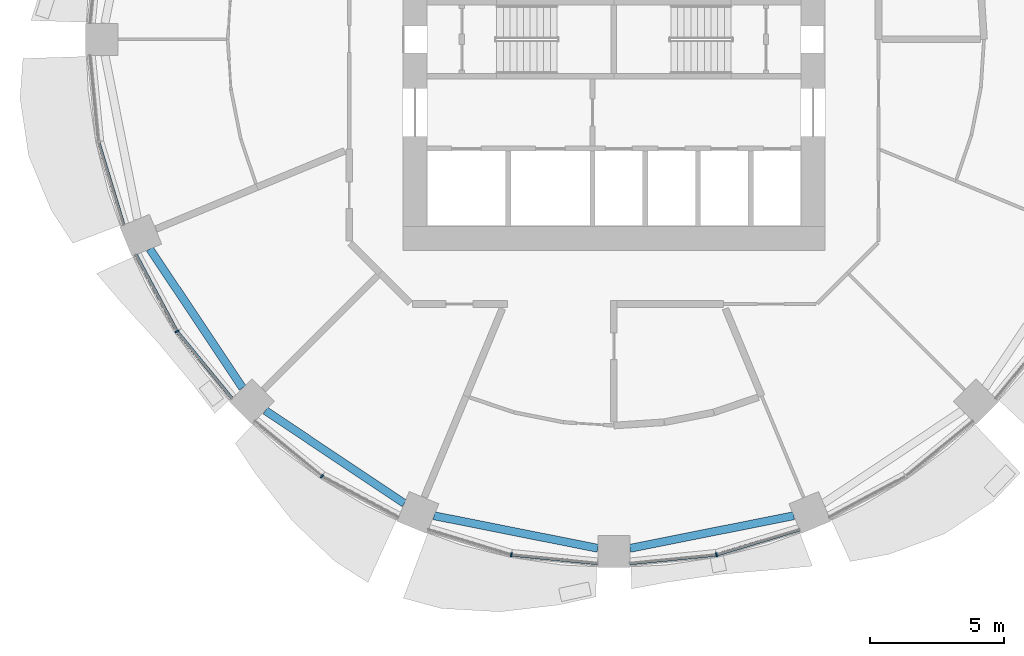
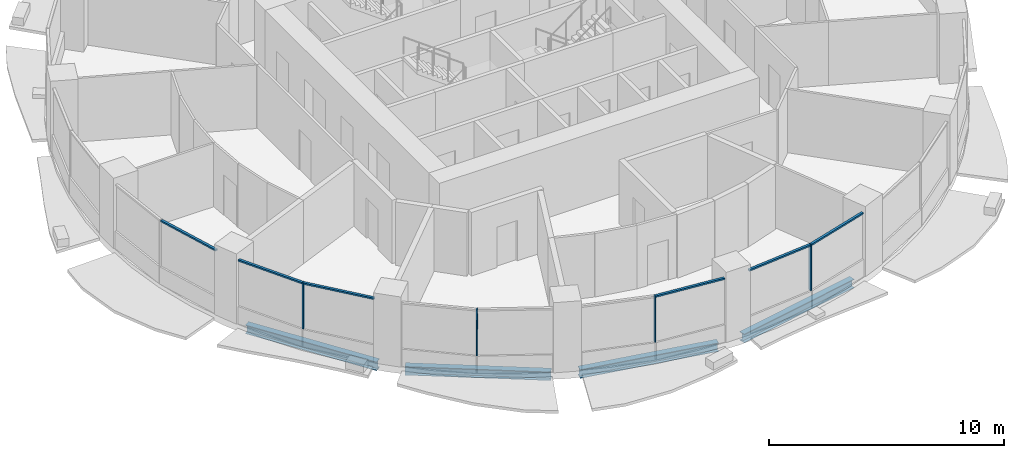
# One storey, part 2 of 15: 10 members, 4 beams, 5 elements without a shape of their own.
"""IFC4 building model written with IfcOpenShell, lengths in metres."""

import ifcopenshell
import ifcopenshell.guid

model = None  # the IFC model being written
_history = None  # IfcOwnerHistory: only IFC2X3 demands one
_inside = {}  # id of a spatial element -> (the spatial element, [elements in it])
_under = {}  # id of a project, library or spatial element -> (it, [spatial elements below it])
_declared = {}  # id of a project -> (the project, [libraries it declares])
_typed = {}  # id of a type object -> (the type object, [elements of that type])
_made_of = {}  # id of a material, layer set ... -> (it, [elements and type objects made of it])


def new_model(schema):
    """Start an empty IFC model of exactly this schema.

    Asked for "IFC4X3", IfcOpenShell would pick the latest addendum, in which some entities
    have other attributes; the version numbers below select the first issue.
    IFC2X3 requires an IfcOwnerHistory on every rooted entity: one is made here for all.
    """
    global model, _history
    if schema == "IFC4X3":
        model = ifcopenshell.file(schema_version=(4, 3, 0, 0))
    else:
        model = ifcopenshell.file(schema=schema)
    _inside.clear()
    _under.clear()
    _declared.clear()
    _typed.clear()
    _made_of.clear()
    _history = None
    if model.schema == "IFC2X3":
        org = make("IfcOrganization", Name="unknown")
        user = make(
            "IfcPersonAndOrganization",
            ThePerson=make("IfcPerson", FamilyName="unknown"),
            TheOrganization=org,
        )
        app = make(
            "IfcApplication",
            ApplicationDeveloper=org,
            Version="unknown",
            ApplicationFullName="unknown",
            ApplicationIdentifier="unknown",
        )
        _history = make(
            "IfcOwnerHistory",
            OwningUser=user,
            OwningApplication=app,
            ChangeAction="ADDED",
            CreationDate=0,
        )
    return model


def make(cls, **values):
    """One entity of the class cls with the attributes given. An attribute that is None is left unset."""
    return model.create_entity(
        cls, **{name: value for name, value in values.items() if value is not None}
    )


def rooted(cls, **values):
    """An entity with a GlobalId (a new one), such as an element, a storey or a relation."""
    return make(cls, GlobalId=ifcopenshell.guid.new(), OwnerHistory=_history, **values)


def si_unit(unit_type, name, prefix=None):
    """IfcSIUnit, for example si_unit("LENGTHUNIT", "METRE", prefix="MILLI")."""
    return make("IfcSIUnit", UnitType=unit_type, Prefix=prefix, Name=name)


def assignment(units):
    """IfcUnitAssignment: the units of a project."""
    return None if units is None else make("IfcUnitAssignment", Units=units)


def point(xyz):
    """IfcCartesianPoint."""
    return None if xyz is None else make("IfcCartesianPoint", Coordinates=xyz)


def direction(xyz):
    """IfcDirection."""
    return None if xyz is None else make("IfcDirection", DirectionRatios=xyz)


def frame(location, z_axis=None, x_axis=None):
    """IfcAxis2Placement3D, a coordinate frame: its origin and axes. An axis left out is left unset."""
    return make(
        "IfcAxis2Placement3D",
        Location=point(location),
        Axis=direction(z_axis),
        RefDirection=direction(x_axis),
    )


def frame_2d(location, x_axis=None):
    """IfcAxis2Placement2D, a coordinate frame in the plane: its origin and x axis."""
    return make(
        "IfcAxis2Placement2D", Location=point(location), RefDirection=direction(x_axis)
    )


def origin():
    """The frame at (0, 0, 0) with its axes left unset."""
    return frame((0.0, 0.0, 0.0))


def origin_2d():
    """The frame at (0, 0) in the plane with its x axis left unset."""
    return frame_2d((0.0, 0.0))


def place(relative_to, where):
    """IfcLocalPlacement: puts the frame where relative to a parent placement (None: the world)."""
    return make(
        "IfcLocalPlacement", PlacementRelTo=relative_to, RelativePlacement=where
    )


def context(
    kind, dimensions, precision=None, world=None, true_north=None, identifier=None
):
    """IfcGeometricRepresentationContext, for example the 3D "Model" context."""
    return make(
        "IfcGeometricRepresentationContext",
        ContextIdentifier=identifier,
        ContextType=kind,
        CoordinateSpaceDimension=dimensions,
        Precision=precision,
        WorldCoordinateSystem=world,
        TrueNorth=true_north,
    )


def subcontext(parent, identifier, kind, view, scale=None):
    """IfcGeometricRepresentationSubContext, for example "Body" below "Model"."""
    return make(
        "IfcGeometricRepresentationSubContext",
        ContextIdentifier=identifier,
        ContextType=kind,
        ParentContext=parent,
        TargetScale=scale,
        TargetView=view,
    )


def project(units=None, contexts=None):
    """IfcProject with its units and contexts."""
    return rooted(
        "IfcProject",
        Name="project",
        RepresentationContexts=contexts,
        UnitsInContext=assignment(units),
    )


def spatial(cls, under=None, at=None, **own):
    """A site, building, storey or space (cls), placed at a placement, below another one or the project."""
    s = rooted(cls, ObjectPlacement=at, **own)
    if under is not None:
        _under.setdefault(under.id(), (under, []))[1].append(s)
    return s


def profile(cls, at=None, kind="AREA", **sizes):
    """A parametric profile (cls). Its sizes go by their IFC names, for example OverallWidth=200.0."""
    return make(cls, ProfileType=kind, Position=at, **sizes)


def rectangle(**sizes):
    """IfcRectangleProfileDef."""
    return profile("IfcRectangleProfileDef", **sizes)


def i_section(**sizes):
    """IfcIShapeProfileDef."""
    return profile("IfcIShapeProfileDef", **sizes)


def extrude(swept, where, along, depth):
    """IfcExtrudedAreaSolid: the profile swept, set in the frame where, extruded along a direction by depth."""
    return make(
        "IfcExtrudedAreaSolid",
        SweptArea=swept,
        Position=where,
        ExtrudedDirection=direction(along),
        Depth=depth,
    )


def shape(context_of_items, identifier, shape_type, items):
    """IfcShapeRepresentation: the items that make up one representation, for example the "Body"."""
    return make(
        "IfcShapeRepresentation",
        ContextOfItems=context_of_items,
        RepresentationIdentifier=identifier,
        RepresentationType=shape_type,
        Items=items,
    )


def material(Name=None, Category=None):
    """IfcMaterial."""
    return make("IfcMaterial", Name=Name, Category=Category)


def material_profile(
    of_material, cross_section, Name=None, Category=None, Priority=None
):
    """IfcMaterialProfile: a cross section and its material."""
    return make(
        "IfcMaterialProfile",
        Name=Name,
        Material=of_material,
        Profile=cross_section,
        Priority=Priority,
        Category=Category,
    )


def profile_set(profiles, Name=None, composite=None):
    """IfcMaterialProfileSet."""
    return make(
        "IfcMaterialProfileSet",
        Name=Name,
        MaterialProfiles=profiles,
        CompositeProfile=composite,
    )


def made_of(thing, what):
    """Note that an element or type object is made of a material, layer set ...; save() writes the relation."""
    if what is not None:
        _made_of.setdefault(what.id(), (what, []))[1].append(thing)
    return thing


def type_object(cls, material=None, **own):
    """A type object (cls), such as IfcWallType, which elements share."""
    return made_of(rooted(cls, **own), material)


def element(
    cls,
    number,
    at=None,
    inside=None,
    cuts=None,
    type_object=None,
    material=None,
    context=None,
    identifier="Body",
    shape_type=None,
    held_by="IfcProductDefinitionShape",
    body=None,
    shapes=None,
    **own,
):
    """One element of the class cls, such as IfcWall. Its Tag is "e" and its number.

    at: its placement. inside: the storey or other place that contains it. cuts: it is an
    opening in that element (IfcRelVoidsElement). A single representation is given by context,
    identifier, shape_type and body (its items); several are given by shapes. held_by: the class
    of the entity that holds the representations. save() writes the other relations.
    """
    e = rooted(cls, Tag="e%d" % number, ObjectPlacement=at, **own)
    if body is not None:
        shapes = [shape(context, identifier, shape_type, body)]
    if shapes is not None:
        e.Representation = make(held_by, Representations=shapes)
    if inside is not None:
        _inside.setdefault(inside.id(), (inside, []))[1].append(e)
    if cuts is not None:
        rooted(
            "IfcRelVoidsElement", RelatingBuildingElement=cuts, RelatedOpeningElement=e
        )
    if type_object is not None:
        _typed.setdefault(type_object.id(), (type_object, []))[1].append(e)
    return made_of(e, material)


def aggregate(whole, parts):
    """IfcRelAggregates: a whole, such as a stair, and the parts it consists of."""
    return rooted("IfcRelAggregates", RelatingObject=whole, RelatedObjects=parts)


def save(model, path):
    """Write the relations noted so far, then the file.

    IfcRelAggregates (storeys below a building ...), IfcRelContainedInSpatialStructure (elements
    in a storey), IfcRelDefinesByType, IfcRelAssociatesMaterial and IfcRelDeclares: one each for
    every whole, place, type object, material and project.
    """
    for whole, parts in _under.values():
        aggregate(whole, parts)
    for where, things in _inside.values():
        rooted(
            "IfcRelContainedInSpatialStructure",
            RelatedElements=things,
            RelatingStructure=where,
        )
    for kind, things in _typed.values():
        rooted("IfcRelDefinesByType", RelatedObjects=things, RelatingType=kind)
    for what, things in _made_of.values():
        rooted("IfcRelAssociatesMaterial", RelatedObjects=things, RelatingMaterial=what)
    for by, libraries in _declared.values():
        rooted("IfcRelDeclares", RelatingContext=by, RelatedDefinitions=libraries)
    model.write(path)


model = new_model("IFC4")

# Units and contexts
model_context = context("Model", 3, precision=1e-05, world=origin(), true_north=direction((0.0, 1.0)))
body_context = subcontext(model_context, "Body", "Model", "MODEL_VIEW")
ifc_project = project(units=[si_unit("LENGTHUNIT", "METRE"), si_unit("AREAUNIT", "SQUARE_METRE"), si_unit("VOLUMEUNIT", "CUBIC_METRE"), si_unit("PLANEANGLEUNIT", "RADIAN"), si_unit("MASSUNIT", "GRAM", prefix="KILO")], contexts=[model_context])

# Site, building, storey
site_placement = place(None, origin())
site = spatial("IfcSite", under=ifc_project, at=site_placement, CompositionType="ELEMENT")
building_placement = place(site_placement, origin())
building = spatial("IfcBuilding", under=site, at=building_placement, Name="Polderwave Tower", CompositionType="ELEMENT")
storey_placement = place(building_placement, frame((0.0, 0.0, 40.800048828125)))
storey = spatial("IfcBuildingStorey", under=building, at=storey_placement, Name="L10", CompositionType="ELEMENT", Elevation=40.800048828125)

# Curtain wall, member
ifc_material_1 = material(Name="Aluminium 6063-T6 and glass", Category="aluminium")
curtain_wall_type = type_object("IfcCurtainWallType", Name="Growing floor ribbon glazing wall", PredefinedType="NOTDEFINED", material=ifc_material_1)
curtain_wall_1_placement = place(storey_placement, origin())
curtain_wall_1 = element("IfcCurtainWall", 1, at=curtain_wall_1_placement, inside=storey, type_object=curtain_wall_type, Name="CW2 L10 09", PredefinedType="NOTDEFINED")
ifc_material_2 = material(Name="Aluminium 6063-T6", Category="aluminium")
ifc_material_profile_1 = material_profile(ifc_material_2, rectangle(XDim=0.14990234375, YDim=0.06005859375, at=origin_2d()), Name="AL 60x150")
ifc_profile_set_1 = profile_set([ifc_material_profile_1], Name="Aluminium 6063-T6")
member_type_1 = type_object("IfcMemberType", Name="Growing floor ribbon glazing mullion 60x150", PredefinedType="MULLION", material=ifc_profile_set_1)
member_1_placement = place(storey_placement, frame((-16.304931640625, -10.89501953125, 0.89990234375), z_axis=(0.0, 0.0, 1.0), x_axis=(0.831468642648, 0.555571684207, 0.0)))
member_1 = element("IfcMember", 2, at=member_1_placement, type_object=member_type_1, Name="CW2 mullion 1", PredefinedType="MULLION", context=body_context, shape_type="SweptSolid", body=[
    extrude(rectangle(XDim=0.14990234375, YDim=0.06005859375, at=origin_2d()), origin(), (0.0, 0.0, 1.0), 2.400146484375),
])

curtain_wall_2_placement = place(storey_placement, origin())
curtain_wall_2 = element("IfcCurtainWall", 3, at=curtain_wall_2_placement, inside=storey, type_object=curtain_wall_type, Name="CW2 L10 10", PredefinedType="NOTDEFINED")
member_2_placement = place(storey_placement, frame((-10.89501953125, -16.304931640625, 0.89990234375), z_axis=(0.0, 0.0, 1.0), x_axis=(0.555571684207, 0.831468642648, 0.0)))
member_2 = element("IfcMember", 4, at=member_2_placement, type_object=member_type_1, Name="CW2 mullion 1", PredefinedType="MULLION", context=body_context, shape_type="SweptSolid", body=[
    extrude(rectangle(XDim=0.14990234375, YDim=0.06005859375, at=origin_2d()), origin(), (0.0, 0.0, 1.0), 2.400146484375),
])
aggregate(curtain_wall_2, [member_2])

curtain_wall_3_placement = place(storey_placement, origin())
curtain_wall_3 = element("IfcCurtainWall", 5, at=curtain_wall_3_placement, inside=storey, type_object=curtain_wall_type, Name="CW2 L10 11", PredefinedType="NOTDEFINED")
member_3_placement = place(storey_placement, frame((-3.825927734375, -19.23291015625, 0.89990234375), z_axis=(0.0, 0.0, 1.0), x_axis=(0.195177622698, 0.980767911179, 0.0)))
member_3 = element("IfcMember", 6, at=member_3_placement, type_object=member_type_1, Name="CW2 mullion 1", PredefinedType="MULLION", context=body_context, shape_type="SweptSolid", body=[
    extrude(rectangle(XDim=0.14990234375, YDim=0.06005859375, at=origin_2d()), origin(), (0.0, 0.0, 1.0), 2.400146484375),
])

curtain_wall_4_placement = place(storey_placement, origin())
curtain_wall_4 = element("IfcCurtainWall", 7, at=curtain_wall_4_placement, inside=storey, type_object=curtain_wall_type, Name="CW2 L10 12", PredefinedType="NOTDEFINED")
member_4_placement = place(storey_placement, frame((3.825927734375, -19.23291015625, 0.89990234375), z_axis=(0.0, 0.0, 1.0), x_axis=(-0.195177622698, 0.980767911179, 0.0)))
member_4 = element("IfcMember", 8, at=member_4_placement, type_object=member_type_1, Name="CW2 mullion 1", PredefinedType="MULLION", context=body_context, shape_type="SweptSolid", body=[
    extrude(rectangle(XDim=0.14990234375, YDim=0.06005859375, at=origin_2d()), origin(), (0.0, 0.0, 1.0), 2.400146484375),
])

curtain_wall_5_placement = place(storey_placement, origin())
curtain_wall_5 = element("IfcCurtainWall", 9, at=curtain_wall_5_placement, inside=storey, type_object=curtain_wall_type, Name="CW2 L10 08", PredefinedType="NOTDEFINED")
ifc_material_profile_2 = material_profile(ifc_material_2, rectangle(XDim=0.1201171875, YDim=0.080078125, at=origin_2d()), Name="AL 80x120")
ifc_profile_set_2 = profile_set([ifc_material_profile_2], Name="Aluminium 6063-T6")
member_type_2 = type_object("IfcMemberType", Name="Growing floor ribbon glazing transom 80x120", PredefinedType="USERDEFINED", material=ifc_profile_set_2)
member_5_placement = place(storey_placement, frame((-19.224365234375, -3.854736328125, 3.260009765625), z_axis=(0.290402031143, -0.956904728961, 0.0), x_axis=(0.956904728961, 0.290402031143, 0.0)))
member_5 = element("IfcMember", 10, at=member_5_placement, type_object=member_type_2, Name="CW2 transom 2", ObjectType="TRANSOM", PredefinedType="USERDEFINED", context=body_context, shape_type="SweptSolid", body=[
    extrude(rectangle(XDim=0.1201171875, YDim=0.080078125, at=origin_2d()), origin(), (0.0, 0.0, 1.0), 3.210693359375),
])
aggregate(curtain_wall_5, [member_5])

# Member
member_6_placement = place(storey_placement, frame((-17.8330078125, -8.035888671875, 3.260009765625), z_axis=(0.471373193578, -0.881933848072, 0.0), x_axis=(0.881933848072, 0.471373193578, 0.0)))
member_6 = element("IfcMember", 11, at=member_6_placement, type_object=member_type_2, Name="CW2 transom 1", ObjectType="TRANSOM", PredefinedType="USERDEFINED", context=body_context, shape_type="SweptSolid", body=[
    extrude(rectangle(XDim=0.1201171875, YDim=0.080078125, at=origin_2d()), origin(), (0.0, 0.0, 1.0), 3.211669921875),
])

member_7_placement = place(storey_placement, frame((-16.285888671875, -10.918212890625, 3.260009765625), z_axis=(0.634429639074, -0.772980616228, 0.0), x_axis=(0.772980616228, 0.634429639074, 0.0)))
member_7 = element("IfcMember", 12, at=member_7_placement, type_object=member_type_2, Name="CW2 transom 2", ObjectType="TRANSOM", PredefinedType="USERDEFINED", context=body_context, shape_type="SweptSolid", body=[
    extrude(rectangle(XDim=0.1201171875, YDim=0.080078125, at=origin_2d()), origin(), (0.0, 0.0, 1.0), 3.21044921875),
])

aggregate(curtain_wall_1, [member_1, member_6, member_7])

member_8_placement = place(storey_placement, frame((-3.796142578125, -19.23583984375, 3.260009765625), z_axis=(0.99517249074, -0.098141294442, 0.0), x_axis=(0.098141294442, 0.99517249074, 0.0)))
member_8 = element("IfcMember", 13, at=member_8_placement, type_object=member_type_2, Name="CW2 transom 2", ObjectType="TRANSOM", PredefinedType="USERDEFINED", context=body_context, shape_type="SweptSolid", body=[
    extrude(rectangle(XDim=0.1201171875, YDim=0.080078125, at=origin_2d()), origin(), (0.0, 0.0, 1.0), 3.211669921875),
])

aggregate(curtain_wall_3, [member_3, member_8])

member_9_placement = place(storey_placement, frame((0.60009765625, -19.551025390625, 3.260009765625), z_axis=(0.99517249074, 0.098141294442, 0.0), x_axis=(-0.098141294442, 0.99517249074, 0.0)))
member_9 = element("IfcMember", 14, at=member_9_placement, type_object=member_type_2, Name="CW2 transom 1", ObjectType="TRANSOM", PredefinedType="USERDEFINED", context=body_context, shape_type="SweptSolid", body=[
    extrude(rectangle(XDim=0.1201171875, YDim=0.080078125, at=origin_2d()), origin(), (0.0, 0.0, 1.0), 3.211669921875),
])

member_10_placement = place(storey_placement, frame((3.854736328125, -19.224365234375, 3.260009765625), z_axis=(0.956904728961, 0.290402031143, 0.0), x_axis=(-0.290402031143, 0.956904728961, 0.0)))
member_10 = element("IfcMember", 15, at=member_10_placement, type_object=member_type_2, Name="CW2 transom 2", ObjectType="TRANSOM", PredefinedType="USERDEFINED", context=body_context, shape_type="SweptSolid", body=[
    extrude(rectangle(XDim=0.1201171875, YDim=0.080078125, at=origin_2d()), origin(), (0.0, 0.0, 1.0), 3.210693359375),
])

aggregate(curtain_wall_4, [member_4, member_9, member_10])

# Beams
ifc_material_3 = material(Name="Steel S355", Category="steel")
ifc_material_profile_3 = material_profile(ifc_material_3, i_section(OverallWidth=0.300048828125, OverallDepth=0.449951171875, WebThickness=0.013916015625, FlangeThickness=0.02587890625, at=origin_2d()), Name="HE 450 B")
ifc_profile_set_3 = profile_set([ifc_material_profile_3], Name="Steel S355")
beam_type = type_object("IfcBeamType", Name="RING BEAM HE 450 B", PredefinedType="BEAM", material=ifc_profile_set_3)
for number, where, z_axis, x_axis, name in (
    (16, (-17.3154296875, -7.82177734375, -0.574951171875), (0.555558644, -0.831477355721, 0.0), (0.831477355721, 0.555558644, 0.0), "ST-RB-L10-09"),
    (17, (-13.004150390625, -13.852783203125, -0.574951171875), (0.831477355721, -0.555558644, 0.0), (0.555558644, 0.831477355721, 0.0), "ST-RB-L10-10"),
):
    element("IfcBeam", number, at=place(storey_placement, frame(where, z_axis=z_axis, x_axis=x_axis)), inside=storey, type_object=beam_type, Name=name, PredefinedType="BEAM", context=body_context, shape_type="SweptSolid", body=[
        extrude(i_section(OverallWidth=0.300048828125, OverallDepth=0.449951171875, WebThickness=0.013916015625, FlangeThickness=0.02587890625, at=origin_2d()), origin(), (0.0, 0.0, 1.0), 6.232666015625),
    ])
for number, where, z_axis, x_axis, name in (
    (18, (-6.713134765625, -17.774658203125, -0.574951171875), (0.980782033233, -0.195106645934, 0.0), (0.195106645934, 0.980782033233, 0.0), "ST-RB-L10-11"),
    (19, (0.60009765625, -18.99072265625, -0.574951171875), (0.980782033233, 0.195106645934, 0.0), (-0.195106645934, 0.980782033233, 0.0), "ST-RB-L10-12"),
):
    element("IfcBeam", number, at=place(storey_placement, frame(where, z_axis=z_axis, x_axis=x_axis)), inside=storey, type_object=beam_type, Name=name, PredefinedType="BEAM", context=body_context, shape_type="SweptSolid", body=[
        extrude(i_section(OverallWidth=0.300048828125, OverallDepth=0.449951171875, WebThickness=0.013916015625, FlangeThickness=0.02587890625, at=origin_2d()), origin(), (0.0, 0.0, 1.0), 6.23291015625),
    ])

save(model, "model.ifc")
